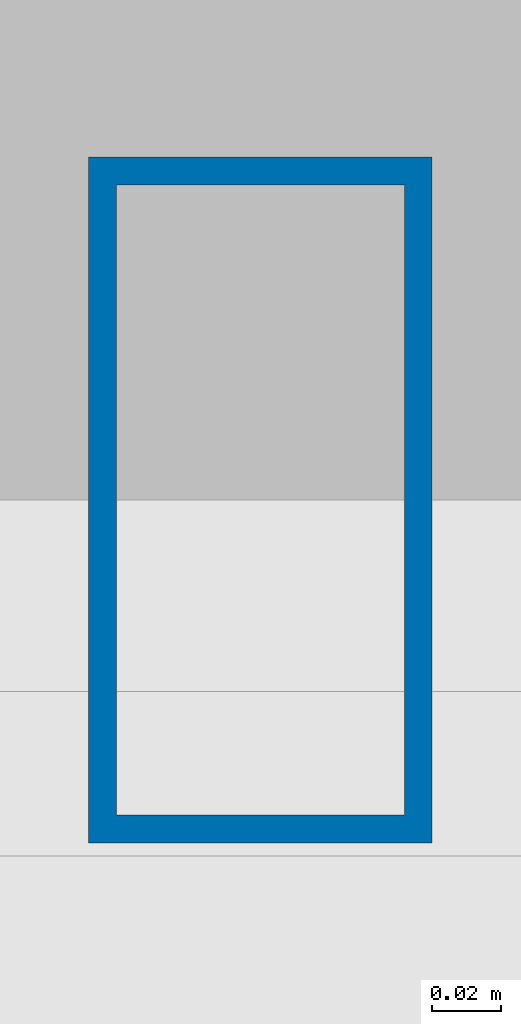
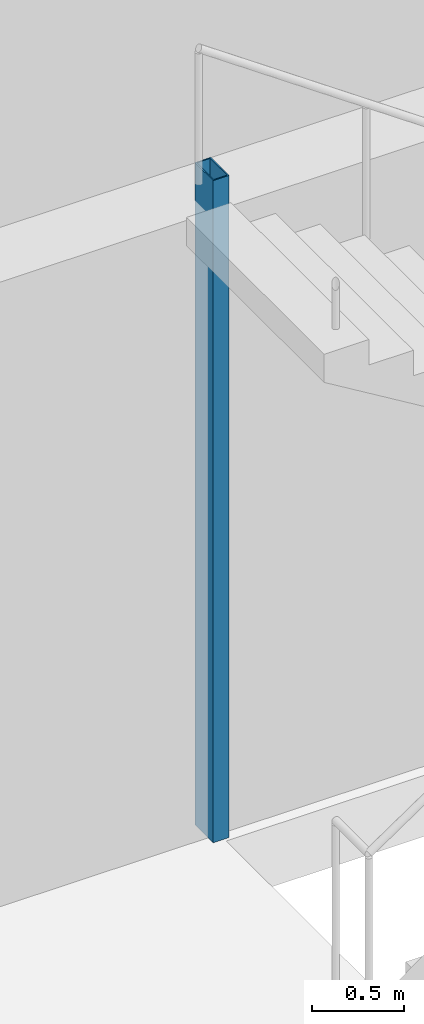
# One storey, part 2 of 17: 1 column.
"""IFC4 building model written with IfcOpenShell, lengths in metres."""

from ifc_helpers import new_model, si_unit, direction, frame, origin, origin_2d, place, context, subcontext, project, spatial, hollow_rectangle, extrude, material, material_profile, profile_set, type_object, element, save


model = new_model("IFC4")

# Units and contexts
model_context = context("Model", 3, precision=1e-05, world=origin(), true_north=direction((0.0, 1.0)))
body_context = subcontext(model_context, "Body", "Model", "MODEL_VIEW")
ifc_project = project(units=[si_unit("LENGTHUNIT", "METRE"), si_unit("AREAUNIT", "SQUARE_METRE"), si_unit("VOLUMEUNIT", "CUBIC_METRE"), si_unit("PLANEANGLEUNIT", "RADIAN"), si_unit("MASSUNIT", "GRAM", prefix="KILO")], contexts=[model_context])

# Site, building, storey
site_placement = place(None, origin())
site = spatial("IfcSite", under=ifc_project, at=site_placement, CompositionType="ELEMENT")
building_placement = place(site_placement, origin())
building = spatial("IfcBuilding", under=site, at=building_placement, Name="Menara Jurai Vektor", CompositionType="ELEMENT")
storey_placement = place(building_placement, frame((0.0, 0.0, 78.800048828125)))
storey = spatial("IfcBuildingStorey", under=building, at=storey_placement, Name="L19", CompositionType="ELEMENT", Elevation=78.800048828125)

# Column
ifc_material = material(Name="Steel S355", Category="steel")
ifc_material_profile = material_profile(ifc_material, hollow_rectangle(XDim=0.10009765625, YDim=0.199951171875, WallThickness=0.008056640625, at=origin_2d()), Name="RHS 200x100x8")
ifc_profile_set = profile_set([ifc_material_profile], Name="Steel S355")
column_type = type_object("IfcColumnType", Name="STR-COL-STAIR", PredefinedType="COLUMN", material=ifc_profile_set)
column_placement = place(storey_placement, frame((-11.1201171875, 5.419921875, 0.0), z_axis=(0.0, 0.0, 1.0), x_axis=(1.0, 0.0, 0.0)))
element("IfcColumn", 1, at=column_placement, inside=storey, type_object=column_type, Name="Stair Well Header Column ST1-P2 L19", PredefinedType="COLUMN", context=body_context, shape_type="SweptSolid", body=[
    extrude(hollow_rectangle(XDim=0.10009765625, YDim=0.199951171875, WallThickness=0.008056640625, at=origin_2d()), origin(), (0.0, 0.0, 1.0), 4.39990234375),
])

save(model, "model.ifc")
